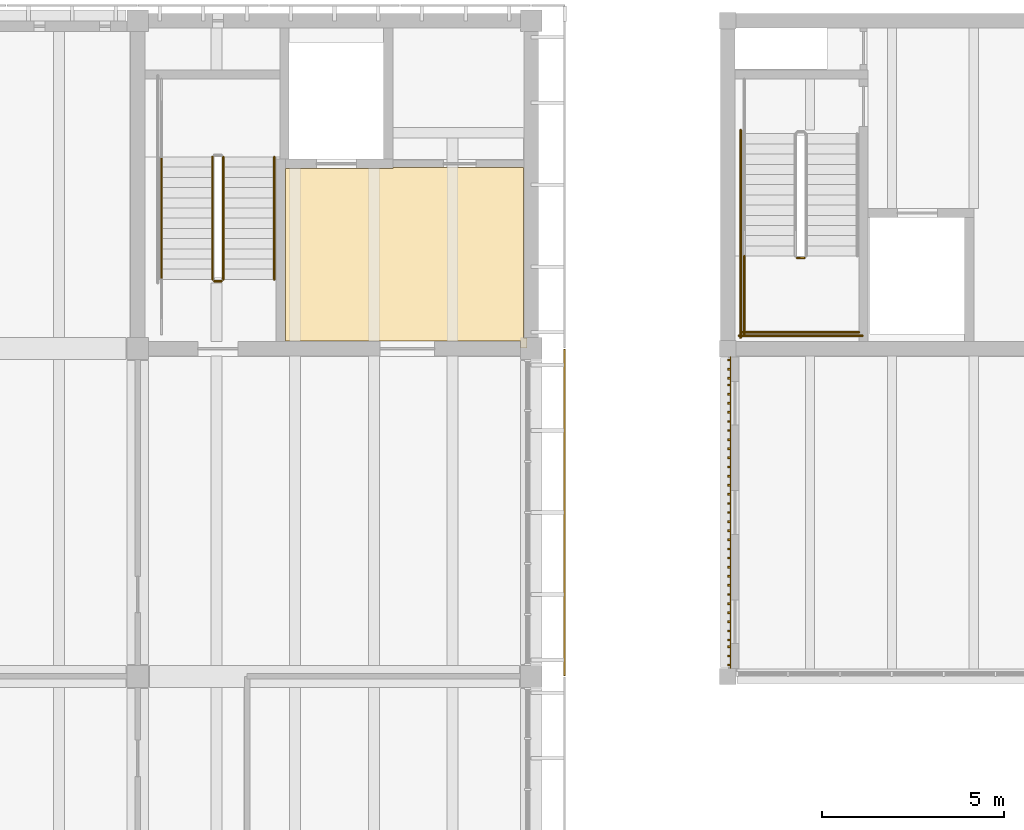
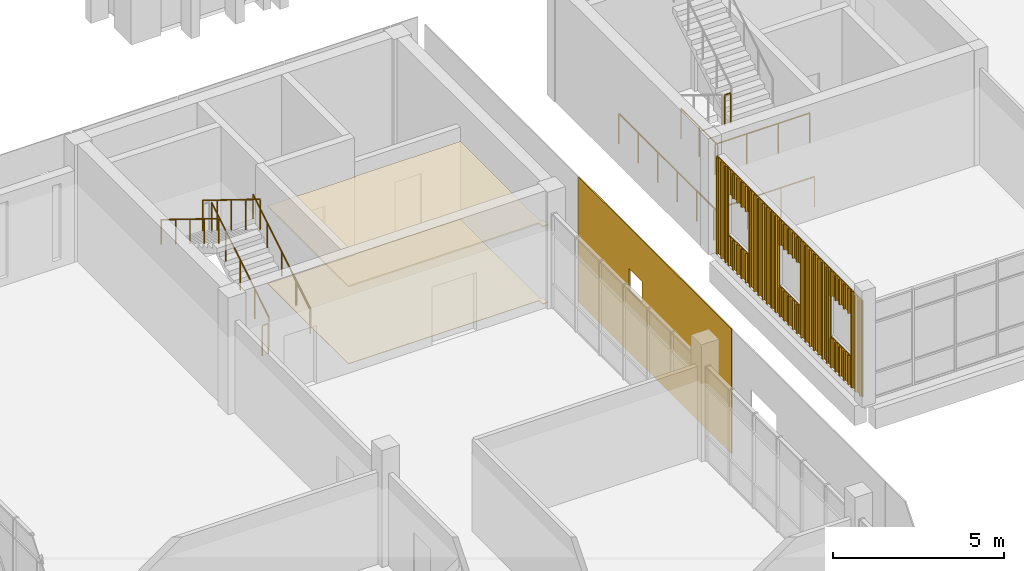
# One storey, part 77 of 88: 13 coverings, 10 railings.
"""IFC4 building model written with IfcOpenShell, lengths in metres."""

from ifc_helpers import new_model, si_unit, direction, frame, origin, origin_2d, place, context, subcontext, project, spatial, polyline, circle, outline, extrude, source, transform, mapped, material, layer, layer_set, type_object, element, save


model = new_model("IFC4")

# Units and contexts
model_context = context("Model", 3, precision=1e-05, world=origin(), true_north=direction((0.0, 1.0)))
body_context = subcontext(model_context, "Body", "Model", "MODEL_VIEW")
ifc_project = project(units=[si_unit("LENGTHUNIT", "METRE"), si_unit("AREAUNIT", "SQUARE_METRE"), si_unit("VOLUMEUNIT", "CUBIC_METRE"), si_unit("PLANEANGLEUNIT", "RADIAN"), si_unit("MASSUNIT", "GRAM", prefix="KILO")], contexts=[model_context])

# Site, building, storey
site_placement = place(None, origin())
site = spatial("IfcSite", under=ifc_project, at=site_placement, CompositionType="ELEMENT")
building_placement = place(site_placement, origin())
building = spatial("IfcBuilding", under=site, at=building_placement, Name="Merrow Basin Faculty of Sciences", CompositionType="ELEMENT")
storey_placement = place(building_placement, frame((0.0, 0.0, 9.0)))
storey = spatial("IfcBuildingStorey", under=building, at=storey_placement, Name="L02", CompositionType="ELEMENT", Elevation=9.0)

# Covering
ifc_material_1 = material(Name="Polished terrazzo floor")
ifc_layer_1 = layer(ifc_material_1, 0.02001953125)
ifc_layer_set_1 = layer_set([ifc_layer_1], Name="Polished terrazzo floor")
covering_type_1 = type_object("IfcCoveringType", Name="Polished terrazzo floor", PredefinedType="FLOORING", material=ifc_layer_set_1)
covering_1_placement = place(storey_placement, origin())
element("IfcCovering", 1, at=covering_1_placement, inside=storey, type_object=covering_type_1, Name="Floor finish L02-B-012", PredefinedType="FLOORING", context=body_context, shape_type="SweptSolid", body=[
    extrude(outline(polyline([(21.389892578125, 128.965087890625), (21.389892578125, 124.2900390625), (21.489990234375, 124.2900390625), (21.489990234375, 124.010009765625), (21.31005859375, 124.010009765625), (21.31005859375, 124.2099609375), (14.860107421875, 124.2099609375), (14.860107421875, 128.93994140625), (17.81005859375, 128.93994140625), (17.81005859375, 128.965087890625), (21.389892578125, 128.965087890625)])), origin(), (0.0, 0.0, 1.0), 0.02001953125),
])

# Railings
ifc_material_2 = material(Name="Steel ASTM A36", Category="steel")
railing_type_1 = type_object("IfcRailingType", Name="Steel guard 1100", PredefinedType="GUARDRAIL", material=ifc_material_2)
railing_1_placement = place(storey_placement, frame((13.14990234375, 125.89990234375, 0.173095703125)))
element("IfcRailing", 2, at=railing_1_placement, inside=storey, type_object=railing_type_1, Name="L02 ST-V4-N stair guard 1", PredefinedType="GUARDRAIL", context=body_context, shape_type="SweptSolid", body=[
    extrude(circle(Radius=0.02392578125, at=origin_2d()), frame((0.0, 0.0, 1.076171875), z_axis=(0.0, 0.850623216509, 0.525775754039), x_axis=(-1.0, 0.0, 0.0)), (0.0, 0.0, 1.0), 3.9501953125),
    extrude(circle(Radius=0.02099609375, at=origin_2d()), origin(), (0.0, 0.0, 1.0), 1.052001953125),
    extrude(circle(Radius=0.02099609375, at=origin_2d()), frame((0.0, 0.840087890625, 0.519287109375)), (0.0, 0.0, 1.0), 1.052001953125),
    extrude(circle(Radius=0.02099609375, at=origin_2d()), frame((0.0, 1.68017578125, 1.03857421875)), (0.0, 0.0, 1.0), 1.052001953125),
    extrude(circle(Radius=0.02099609375, at=origin_2d()), frame((0.0, 2.52001953125, 1.5576171875)), (0.0, 0.0, 1.0), 1.052001953125),
    extrude(circle(Radius=0.02099609375, at=origin_2d()), frame((0.0, 3.360107421875, 2.076904296875)), (0.0, 0.0, 1.0), 1.052001953125),
])
railing_2_placement = place(storey_placement, frame((12.85009765625, 129.260009765625, 2.423095703125)))
element("IfcRailing", 3, at=railing_2_placement, inside=storey, type_object=railing_type_1, Name="L02 ST-V4-N stair guard 4", PredefinedType="GUARDRAIL", context=body_context, shape_type="SweptSolid", body=[
    extrude(circle(Radius=0.02392578125, at=origin_2d()), frame((0.0, 0.0, 1.076171875), z_axis=(0.0, -0.850623216509, 0.525775754039), x_axis=(1.0, 0.0, 0.0)), (0.0, 0.0, 1.0), 3.9501953125),
    extrude(circle(Radius=0.02099609375, at=origin_2d()), origin(), (0.0, 0.0, 1.0), 1.052001953125),
    extrude(circle(Radius=0.02099609375, at=origin_2d()), frame((0.0, -0.840087890625, 0.519287109375)), (0.0, 0.0, 1.0), 1.052001953125),
    extrude(circle(Radius=0.02099609375, at=origin_2d()), frame((0.0, -1.68017578125, 1.03857421875)), (0.0, 0.0, 1.0), 1.052001953125),
    extrude(circle(Radius=0.02099609375, at=origin_2d()), frame((0.0, -2.52001953125, 1.5576171875)), (0.0, 0.0, 1.0), 1.052001953125),
    extrude(circle(Radius=0.02099609375, at=origin_2d()), frame((0.0, -3.360107421875, 2.076904296875)), (0.0, 0.0, 1.0), 1.052001953125),
])
railing_3_placement = place(storey_placement, frame((13.10009765625, 125.85009765625, 0.0)))
element("IfcRailing", 4, at=railing_3_placement, inside=storey, type_object=railing_type_1, Name="L02 ST-V4-N stair guard 5", PredefinedType="GUARDRAIL", context=body_context, shape_type="SweptSolid", body=[
    extrude(circle(Radius=0.02392578125, at=origin_2d()), frame((0.0, 0.0, 1.076171875), z_axis=(-1.0, 0.0, 0.0), x_axis=(0.0, -1.0, 0.0)), (0.0, 0.0, 1.0), 0.2001953125),
    extrude(circle(Radius=0.02099609375, at=origin_2d()), origin(), (0.0, 0.0, 1.0), 1.052001953125),
    extrude(circle(Radius=0.02099609375, at=origin_2d()), frame((-0.2001953125, 0.0, 0.0)), (0.0, 0.0, 1.0), 1.052001953125),
])
railing_4_placement = place(storey_placement, frame((28.89990234375, 126.489990234375, 2.25)))
element("IfcRailing", 5, at=railing_4_placement, inside=storey, type_object=railing_type_1, Name="L02 ST-V2-W stair guard 2", PredefinedType="GUARDRAIL", context=body_context, shape_type="SweptSolid", body=[
    extrude(circle(Radius=0.02392578125, at=origin_2d()), frame((0.0, 0.0, 1.076171875), z_axis=(1.0, 0.0, 0.0), x_axis=(0.0, 1.0, 0.0)), (0.0, 0.0, 1.0), 0.2001953125),
    extrude(circle(Radius=0.02099609375, at=origin_2d()), origin(), (0.0, 0.0, 1.0), 1.052001953125),
    extrude(circle(Radius=0.02099609375, at=origin_2d()), frame((0.2001953125, 0.0, 0.0)), (0.0, 0.0, 1.0), 1.052001953125),
])
railing_5_placement = place(storey_placement, frame((27.449951171875, 126.5400390625, 2.25)))
element("IfcRailing", 6, at=railing_5_placement, inside=storey, type_object=railing_type_1, Name="L02 ST-V2-W stair guard 3", PredefinedType="GUARDRAIL", context=body_context, shape_type="SweptSolid", body=[
    extrude(circle(Radius=0.02392578125, at=origin_2d()), frame((0.0, 0.0, 1.076171875), z_axis=(0.0, -1.0, 0.0), x_axis=(1.0, 0.0, 0.0)), (0.0, 0.0, 1.0), 2.14013671875),
    extrude(circle(Radius=0.02099609375, at=origin_2d()), origin(), (0.0, 0.0, 1.0), 1.052001953125),
    extrude(circle(Radius=0.02099609375, at=origin_2d()), frame((0.0, -1.070068359375, 0.0)), (0.0, 0.0, 1.0), 1.052001953125),
    extrude(circle(Radius=0.02099609375, at=origin_2d()), frame((0.0, -2.14013671875, 0.0)), (0.0, 0.0, 1.0), 1.052001953125),
])
railing_6_placement = place(storey_placement, frame((27.39990234375, 124.449951171875, 2.25)))
element("IfcRailing", 7, at=railing_6_placement, inside=storey, type_object=railing_type_1, Name="L02 ST-V2-W stair guard 4", PredefinedType="GUARDRAIL", context=body_context, shape_type="SweptSolid", body=[
    extrude(circle(Radius=0.02392578125, at=origin_2d()), frame((0.0, 0.0, 1.076171875), z_axis=(1.0, 0.0, 0.0), x_axis=(0.0, 1.0, 0.0)), (0.0, 0.0, 1.0), 3.2001953125),
    extrude(circle(Radius=0.02099609375, at=origin_2d()), origin(), (0.0, 0.0, 1.0), 1.052001953125),
    extrude(circle(Radius=0.02099609375, at=origin_2d()), frame((1.066650390625, 0.0, 0.0)), (0.0, 0.0, 1.0), 1.052001953125),
    extrude(circle(Radius=0.02099609375, at=origin_2d()), frame((2.133544921875, 0.0, 0.0)), (0.0, 0.0, 1.0), 1.052001953125),
    extrude(circle(Radius=0.02099609375, at=origin_2d()), frame((3.2001953125, 0.0, 0.0)), (0.0, 0.0, 1.0), 1.052001953125),
])
railing_7_placement = place(storey_placement, frame((27.35009765625, 130.0, 0.0)))
element("IfcRailing", 8, at=railing_7_placement, inside=storey, type_object=railing_type_1, Name="L02 ST-V2-W stair guard 8", PredefinedType="GUARDRAIL", context=body_context, shape_type="SweptSolid", body=[
    extrude(circle(Radius=0.02392578125, at=origin_2d()), frame((0.0, 0.0, 1.076171875), z_axis=(0.0, -1.0, 0.0), x_axis=(1.0, 0.0, 0.0)), (0.0, 0.0, 1.0), 5.699951171875),
    extrude(circle(Radius=0.02099609375, at=origin_2d()), origin(), (0.0, 0.0, 1.0), 1.052001953125),
    extrude(circle(Radius=0.02099609375, at=origin_2d()), frame((0.0, -1.139892578125, 0.0)), (0.0, 0.0, 1.0), 1.052001953125),
    extrude(circle(Radius=0.02099609375, at=origin_2d()), frame((0.0, -2.280029296875, 0.0)), (0.0, 0.0, 1.0), 1.052001953125),
    extrude(circle(Radius=0.02099609375, at=origin_2d()), frame((0.0, -3.419921875, 0.0)), (0.0, 0.0, 1.0), 1.052001953125),
    extrude(circle(Radius=0.02099609375, at=origin_2d()), frame((0.0, -4.56005859375, 0.0)), (0.0, 0.0, 1.0), 1.052001953125),
    extrude(circle(Radius=0.02099609375, at=origin_2d()), frame((0.0, -5.699951171875, 0.0)), (0.0, 0.0, 1.0), 1.052001953125),
])
railing_8_placement = place(storey_placement, frame((27.300048828125, 124.35009765625, 0.0)))
element("IfcRailing", 9, at=railing_8_placement, inside=storey, type_object=railing_type_1, Name="L02 ST-V2-W stair guard 9", PredefinedType="GUARDRAIL", context=body_context, shape_type="SweptSolid", body=[
    extrude(circle(Radius=0.02392578125, at=origin_2d()), frame((0.0, 0.0, 1.076171875), z_axis=(1.0, 0.0, 0.0), x_axis=(0.0, 1.0, 0.0)), (0.0, 0.0, 1.0), 3.39990234375),
    extrude(circle(Radius=0.02099609375, at=origin_2d()), origin(), (0.0, 0.0, 1.0), 1.052001953125),
    extrude(circle(Radius=0.02099609375, at=origin_2d()), frame((1.13330078125, 0.0, 0.0)), (0.0, 0.0, 1.0), 1.052001953125),
    extrude(circle(Radius=0.02099609375, at=origin_2d()), frame((2.2666015625, 0.0, 0.0)), (0.0, 0.0, 1.0), 1.052001953125),
    extrude(circle(Radius=0.02099609375, at=origin_2d()), frame((3.39990234375, 0.0, 0.0)), (0.0, 0.0, 1.0), 1.052001953125),
])
ifc_material_3 = material(Name="Steel ASTM A36", Category="steel")
railing_type_2 = type_object("IfcRailingType", Name="Steel handrail 900", PredefinedType="HANDRAIL", material=ifc_material_3)
railing_9_placement = place(storey_placement, frame((14.550048828125, 125.89990234375, 0.173095703125)))
element("IfcRailing", 10, at=railing_9_placement, inside=storey, type_object=railing_type_2, Name="L02 ST-V4-N stair handrail 1", PredefinedType="HANDRAIL", context=body_context, shape_type="SweptSolid", body=[
    extrude(circle(Radius=0.02392578125, at=origin_2d()), frame((0.0, 0.0, 0.8759765625), z_axis=(0.0, 0.850623216509, 0.525775754039), x_axis=(-1.0, 0.0, 0.0)), (0.0, 0.0, 1.0), 3.9501953125),
    extrude(circle(Radius=0.02099609375, at=origin_2d()), origin(), (0.0, 0.0, 1.0), 0.851806640625),
    extrude(circle(Radius=0.02099609375, at=origin_2d()), frame((0.0, 0.840087890625, 0.519287109375)), (0.0, 0.0, 1.0), 0.851806640625),
    extrude(circle(Radius=0.02099609375, at=origin_2d()), frame((0.0, 1.68017578125, 1.03857421875)), (0.0, 0.0, 1.0), 0.851806640625),
    extrude(circle(Radius=0.02099609375, at=origin_2d()), frame((0.0, 2.52001953125, 1.5576171875)), (0.0, 0.0, 1.0), 0.851806640625),
    extrude(circle(Radius=0.02099609375, at=origin_2d()), frame((0.0, 3.360107421875, 2.076904296875)), (0.0, 0.0, 1.0), 0.851806640625),
])
railing_10_placement = place(storey_placement, frame((11.449951171875, 129.260009765625, 2.423095703125)))
element("IfcRailing", 11, at=railing_10_placement, inside=storey, type_object=railing_type_2, Name="L02 ST-V4-N stair handrail 2", PredefinedType="HANDRAIL", context=body_context, shape_type="SweptSolid", body=[
    extrude(circle(Radius=0.02392578125, at=origin_2d()), frame((0.0, 0.0, 0.8759765625), z_axis=(0.0, -0.850623216509, 0.525775754039), x_axis=(1.0, 0.0, 0.0)), (0.0, 0.0, 1.0), 3.9501953125),
    extrude(circle(Radius=0.02099609375, at=origin_2d()), origin(), (0.0, 0.0, 1.0), 0.851806640625),
    extrude(circle(Radius=0.02099609375, at=origin_2d()), frame((0.0, -0.840087890625, 0.519287109375)), (0.0, 0.0, 1.0), 0.851806640625),
    extrude(circle(Radius=0.02099609375, at=origin_2d()), frame((0.0, -1.68017578125, 1.03857421875)), (0.0, 0.0, 1.0), 0.851806640625),
    extrude(circle(Radius=0.02099609375, at=origin_2d()), frame((0.0, -2.52001953125, 1.5576171875)), (0.0, 0.0, 1.0), 0.851806640625),
    extrude(circle(Radius=0.02099609375, at=origin_2d()), frame((0.0, -3.360107421875, 2.076904296875)), (0.0, 0.0, 1.0), 0.851806640625),
])

# Coverings
ifc_material_4 = material(Name="Mineral fibre ceiling tile")
ifc_layer_2 = layer(ifc_material_4, 0.050048828125)
ifc_layer_set_2 = layer_set([ifc_layer_2], Name="Suspended acoustic ceiling tile")
covering_type_2 = type_object("IfcCoveringType", Name="Suspended acoustic ceiling tile", PredefinedType="CEILING", material=ifc_layer_set_2)
covering_2_placement = place(storey_placement, frame((0.0, 0.0, 2.75)))
element("IfcCovering", 12, at=covering_2_placement, inside=storey, type_object=covering_type_2, Name="Ceiling L02-B-012", PredefinedType="CEILING", context=body_context, shape_type="SweptSolid", body=[
    extrude(outline(polyline([(21.389892578125, 128.965087890625), (21.389892578125, 124.2900390625), (21.489990234375, 124.2900390625), (21.489990234375, 124.010009765625), (21.31005859375, 124.010009765625), (21.31005859375, 124.2099609375), (14.860107421875, 124.2099609375), (14.860107421875, 128.93994140625), (17.81005859375, 128.93994140625), (17.81005859375, 128.965087890625), (21.389892578125, 128.965087890625)])), origin(), (0.0, 0.0, 1.0), 0.050048828125),
])
ifc_material_5 = material(Name="White powder-coated aluminium", Category="aluminium")
ifc_layer_3 = layer(ifc_material_5, 0.0400390625)
ifc_layer_set_3 = layer_set([ifc_layer_3], Name="Perforated panel 9000 x 4500")
covering_type_3 = type_object("IfcCoveringType", Name="Perforated panel 9000 x 4500", PredefinedType="CLADDING", material=ifc_layer_set_3)
shared_shape_1 = source(origin(), body_context, "Body", "SweptSolid", [
    extrude(outline(polyline([(0.02001953125, 0.02001953125), (8.97998046875, 0.02001953125), (8.97998046875, 4.47998046875), (0.02001953125, 4.47998046875), (0.02001953125, 0.02001953125)]), holes=[polyline([(3.0, 2.25), (3.75, 2.25), (3.75, 3.0), (3.0, 3.0), (3.0, 2.25)])]), origin(), (0.0, 0.0, 1.0), 0.0400390625),
])
covering_3_placement = place(storey_placement, frame((22.5400390625, 124.0, -0.320068359375), z_axis=(-1.0, 0.0, 0.0), x_axis=(0.0, -1.0, 0.0)))
element("IfcCovering", 13, at=covering_3_placement, inside=storey, type_object=covering_type_3, Name="Perforated panel EL02-07", PredefinedType="CLADDING", context=body_context, shape_type="MappedRepresentation", body=[
    mapped(shared_shape_1, transform((0.0, 0.0, 0.0), scale=1.0)),
])
ifc_material_6 = material(Name="Larch timber", Category="wood")
ifc_layer_4 = layer(ifc_material_6, 0.0849609375)
ifc_layer_set_4 = layer_set([ifc_layer_4], Name="Larch batten cladding 85")
covering_type_4 = type_object("IfcCoveringType", Name="Larch batten cladding 85", PredefinedType="CLADDING", material=ifc_layer_set_4)
shared_shape_2 = source(origin(), body_context, "Body", "SweptSolid", [
    extrude(outline(polyline([(0.0, 0.0), (1.199951171875, 0.0), (1.199951171875, 0.02490234375), (1.125, 0.02490234375), (1.125, 0.0849609375), (1.074951171875, 0.0849609375), (1.074951171875, 0.02490234375), (0.875, 0.02490234375), (0.875, 0.0849609375), (0.824951171875, 0.0849609375), (0.824951171875, 0.02490234375), (0.625, 0.02490234375), (0.625, 0.0849609375), (0.574951171875, 0.0849609375), (0.574951171875, 0.02490234375), (0.375, 0.02490234375), (0.375, 0.0849609375), (0.324951171875, 0.0849609375), (0.324951171875, 0.02490234375), (0.125, 0.02490234375), (0.125, 0.0849609375), (0.074951171875, 0.0849609375), (0.074951171875, 0.02490234375), (0.0, 0.02490234375), (0.0, 0.0)])), origin(), (0.0, 0.0, 1.0), 0.89990234375),
])
for number, where, z_axis, x_axis, name in (
    (14, (27.0849609375, 115.89990234375, 2.550048828125), (0.0, 0.0, 1.0), (0.0, 1.0, 0.0), "Larch batten cladding"),
    (15, (27.0849609375, 118.89990234375, 2.550048828125), (0.0, 0.0, 1.0), (0.0, 1.0, 0.0), "Larch batten cladding"),
    (16, (27.0849609375, 121.89990234375, 2.550048828125), (0.0, 0.0, 1.0), (0.0, 1.0, 0.0), "Larch batten cladding"),
):
    element("IfcCovering", number, at=place(storey_placement, frame(where, z_axis=z_axis, x_axis=x_axis)), inside=storey, type_object=covering_type_4, Name=name, PredefinedType="CLADDING", context=body_context, shape_type="MappedRepresentation", body=[
        mapped(shared_shape_2, transform((0.0, 0.0, 0.0), scale=1.0)),
    ])
shared_shape_3 = source(origin(), body_context, "Body", "SweptSolid", [
    extrude(outline(polyline([(0.0, 0.0), (1.199951171875, 0.0), (1.199951171875, 0.02490234375), (1.125, 0.02490234375), (1.125, 0.0849609375), (1.074951171875, 0.0849609375), (1.074951171875, 0.02490234375), (0.875, 0.02490234375), (0.875, 0.0849609375), (0.824951171875, 0.0849609375), (0.824951171875, 0.02490234375), (0.625, 0.02490234375), (0.625, 0.0849609375), (0.574951171875, 0.0849609375), (0.574951171875, 0.02490234375), (0.375, 0.02490234375), (0.375, 0.0849609375), (0.324951171875, 0.0849609375), (0.324951171875, 0.02490234375), (0.125, 0.02490234375), (0.125, 0.0849609375), (0.074951171875, 0.0849609375), (0.074951171875, 0.02490234375), (0.0, 0.02490234375), (0.0, 0.0)])), origin(), (0.0, 0.0, 1.0), 1.050048828125),
])
for number, where, z_axis, x_axis, name in (
    (17, (27.0849609375, 115.89990234375, 0.0), (0.0, 0.0, 1.0), (0.0, 1.0, 0.0), "Larch batten cladding"),
    (18, (27.0849609375, 118.89990234375, 0.0), (0.0, 0.0, 1.0), (0.0, 1.0, 0.0), "Larch batten cladding"),
    (19, (27.0849609375, 121.89990234375, 0.0), (0.0, 0.0, 1.0), (0.0, 1.0, 0.0), "Larch batten cladding"),
):
    element("IfcCovering", number, at=place(storey_placement, frame(where, z_axis=z_axis, x_axis=x_axis)), inside=storey, type_object=covering_type_4, Name=name, PredefinedType="CLADDING", context=body_context, shape_type="MappedRepresentation", body=[
        mapped(shared_shape_3, transform((0.0, 0.0, 0.0), scale=1.0)),
    ])
shared_shape_4 = source(origin(), body_context, "Body", "SweptSolid", [
    extrude(outline(polyline([(0.0, 0.0), (0.675048828125, 0.0), (0.675048828125, 0.02490234375), (0.612060546875, 0.02490234375), (0.612060546875, 0.0849609375), (0.56201171875, 0.0849609375), (0.56201171875, 0.02490234375), (0.362060546875, 0.02490234375), (0.362060546875, 0.0849609375), (0.31201171875, 0.0849609375), (0.31201171875, 0.02490234375), (0.112060546875, 0.02490234375), (0.112060546875, 0.0849609375), (0.06201171875, 0.0849609375), (0.06201171875, 0.02490234375), (0.0, 0.02490234375), (0.0, 0.0)])), origin(), (0.0, 0.0, 1.0), 3.449951171875),
])
for number, where, z_axis, x_axis, name in (
    (20, (27.0849609375, 115.22509765625, 0.0), (0.0, 0.0, 1.0), (0.0, 1.0, 0.0), "Larch batten cladding"),
    (21, (27.0849609375, 123.10009765625, 0.0), (0.0, 0.0, 1.0), (0.0, 1.0, 0.0), "Larch batten cladding"),
):
    element("IfcCovering", number, at=place(storey_placement, frame(where, z_axis=z_axis, x_axis=x_axis)), inside=storey, type_object=covering_type_4, Name=name, PredefinedType="CLADDING", context=body_context, shape_type="MappedRepresentation", body=[
        mapped(shared_shape_4, transform((0.0, 0.0, 0.0), scale=1.0)),
    ])
shared_shape_5 = source(origin(), body_context, "Body", "SweptSolid", [
    extrude(outline(polyline([(0.0, 0.0), (1.800048828125, 0.0), (1.800048828125, 0.02490234375), (1.675048828125, 0.02490234375), (1.675048828125, 0.0849609375), (1.625, 0.0849609375), (1.625, 0.02490234375), (1.425048828125, 0.02490234375), (1.425048828125, 0.0849609375), (1.375, 0.0849609375), (1.375, 0.02490234375), (1.175048828125, 0.02490234375), (1.175048828125, 0.0849609375), (1.125, 0.0849609375), (1.125, 0.02490234375), (0.925048828125, 0.02490234375), (0.925048828125, 0.0849609375), (0.875, 0.0849609375), (0.875, 0.02490234375), (0.675048828125, 0.02490234375), (0.675048828125, 0.0849609375), (0.625, 0.0849609375), (0.625, 0.02490234375), (0.425048828125, 0.02490234375), (0.425048828125, 0.0849609375), (0.375, 0.0849609375), (0.375, 0.02490234375), (0.175048828125, 0.02490234375), (0.175048828125, 0.0849609375), (0.125, 0.0849609375), (0.125, 0.02490234375), (0.0, 0.02490234375), (0.0, 0.0)])), origin(), (0.0, 0.0, 1.0), 3.449951171875),
])
for number, where, z_axis, x_axis, name in (
    (22, (27.0849609375, 117.10009765625, 0.0), (0.0, 0.0, 1.0), (0.0, 1.0, 0.0), "Larch batten cladding"),
    (23, (27.0849609375, 120.10009765625, 0.0), (0.0, 0.0, 1.0), (0.0, 1.0, 0.0), "Larch batten cladding"),
):
    element("IfcCovering", number, at=place(storey_placement, frame(where, z_axis=z_axis, x_axis=x_axis)), inside=storey, type_object=covering_type_4, Name=name, PredefinedType="CLADDING", context=body_context, shape_type="MappedRepresentation", body=[
        mapped(shared_shape_5, transform((0.0, 0.0, 0.0), scale=1.0)),
    ])

save(model, "model.ifc")
